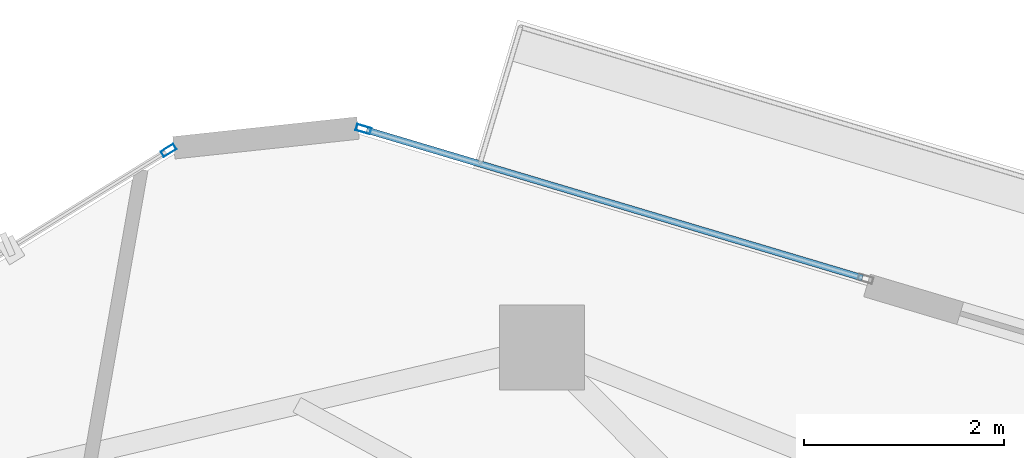
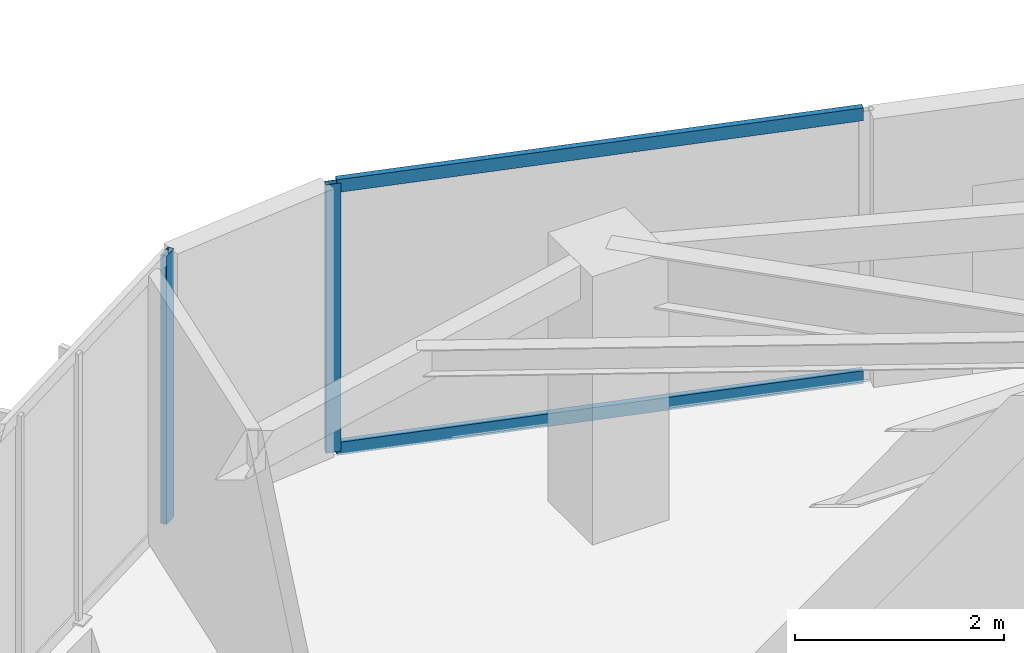
# One storey, part 15 of 20: 4 members, 2 elements without a shape of their own.
"""IFC4 building model written with IfcOpenShell, lengths in metres."""

from ifc_helpers import new_model, si_unit, direction, frame, origin, origin_2d, place, context, subcontext, project, spatial, hollow_rectangle, extrude, source, transform, mapped, material, layer, layer_set, material_profile, profile_set, type_object, type_shapes, element, aggregate, save


model = new_model("IFC4")

# Units and contexts
model_context = context("Model", 3, precision=1e-05, world=origin(), true_north=direction((0.0, 1.0)))
body_context = subcontext(model_context, "Body", "Model", "MODEL_VIEW")
ifc_project = project(units=[si_unit("LENGTHUNIT", "METRE"), si_unit("AREAUNIT", "SQUARE_METRE"), si_unit("VOLUMEUNIT", "CUBIC_METRE"), si_unit("PLANEANGLEUNIT", "RADIAN"), si_unit("MASSUNIT", "GRAM", prefix="KILO")], contexts=[model_context])

# Site, building, storey
site_placement = place(None, origin())
site = spatial("IfcSite", under=ifc_project, at=site_placement, CompositionType="ELEMENT")
building_placement = place(site_placement, origin())
building = spatial("IfcBuilding", under=site, at=building_placement, Name="Talar Marvaseh", CompositionType="ELEMENT")
storey_placement = place(building_placement, frame((0.0, 0.0, 251.0)))
storey = spatial("IfcBuildingStorey", under=building, at=storey_placement, Name="L66", CompositionType="ELEMENT", Elevation=251.0)

# Curtain wall, member
ifc_material = material(Name="Architectural Aluminium", Category="aluminium")
ifc_layer = layer(ifc_material, 0.179931640625)
ifc_layer_set = layer_set([ifc_layer], Name="Architectural Aluminium")
curtain_wall_type = type_object("IfcCurtainWallType", Name="Unitised High-Wind Sky Curtain Wall Z4", PredefinedType="NOTDEFINED", material=ifc_layer_set)
curtain_wall_1_placement = place(storey_placement, origin())
curtain_wall_1 = element("IfcCurtainWall", 1, at=curtain_wall_1_placement, inside=storey, type_object=curtain_wall_type, Name="L66 Unitised High-Wind Sky Curtain Wall Z4", PredefinedType="NOTDEFINED")
ifc_material_profile_1 = material_profile(ifc_material, hollow_rectangle(XDim=0.06494140625, YDim=0.14990234375, WallThickness=0.00390625, at=origin_2d()), Name="RHS150x65x4")
ifc_profile_set_1 = profile_set([ifc_material_profile_1], Name="Architectural Aluminium")
member_type_1 = type_object("IfcMemberType", Name="Unitised Curtain Wall Slim Mullion RHS150x65x4", PredefinedType="MULLION", material=ifc_profile_set_1)
shared_shape_1 = source(origin(), body_context, "Body", "SweptSolid", [
    extrude(hollow_rectangle(XDim=0.06494140625, YDim=0.14990234375, WallThickness=0.00390625, at=origin_2d()), origin(), (0.0, 0.0, 1.0), 3.139892578125),
])
type_shapes(member_type_1, [shared_shape_1])
member_1_placement = place(storey_placement, frame((25.445556640625, 43.02783203125, 0.0), z_axis=(0.0, 0.0, 1.0), x_axis=(-0.52520226259, 0.850977428238, 0.0)))
member_1 = element("IfcMember", 2, at=member_1_placement, type_object=member_type_1, Name="CW-Z4 mullion 4", PredefinedType="MULLION", context=body_context, shape_type="MappedRepresentation", body=[
    mapped(shared_shape_1, transform((0.0, 0.0, 0.0), x_axis=(1.0, 0.0, 0.0), y_axis=(0.0, 1.0, 0.0), z_axis=(0.0, 0.0, 1.0), scale=1.0)),
])
aggregate(curtain_wall_1, [member_1])

# Curtain wall, members
curtain_wall_2_placement = place(storey_placement, origin())
curtain_wall_2 = element("IfcCurtainWall", 3, at=curtain_wall_2_placement, inside=storey, type_object=curtain_wall_type, Name="L66 Unitised High-Wind Sky Curtain Wall Z4", PredefinedType="NOTDEFINED")
member_2_placement = place(storey_placement, frame((27.39892578125, 43.239990234375, 0.0), z_axis=(0.0, 0.0, 1.0), x_axis=(0.285622118907, 0.958342321507, 0.0)))
member_2 = element("IfcMember", 4, at=member_2_placement, type_object=member_type_1, Name="CW-Z4 mullion 1", PredefinedType="MULLION", context=body_context, shape_type="MappedRepresentation", body=[
    mapped(shared_shape_1, transform((0.0, 0.0, 0.0), x_axis=(1.0, 0.0, 0.0), y_axis=(0.0, 1.0, 0.0), z_axis=(0.0, 0.0, 1.0), scale=1.0)),
])
ifc_material_profile_2 = material_profile(ifc_material, hollow_rectangle(XDim=0.06494140625, YDim=0.14990234375, WallThickness=0.00390625, at=origin_2d()), Name="RHS150x65x4")
ifc_profile_set_2 = profile_set([ifc_material_profile_2], Name="Architectural Aluminium")
member_type_2 = type_object("IfcMemberType", Name="Unitised Curtain Wall Slim Transom RHS150x65x4", PredefinedType="USERDEFINED", material=ifc_profile_set_2)
shared_shape_2 = source(origin(), body_context, "Body", "SweptSolid", [
    extrude(hollow_rectangle(XDim=0.06494140625, YDim=0.14990234375, WallThickness=0.00390625, at=origin_2d()), origin(), (0.0, 0.0, 1.0), 5.1875),
])
type_shapes(member_type_2, [shared_shape_2])
member_3_placement = place(storey_placement, frame((27.43017578125, 43.230712890625, 0.032470703125), z_axis=(0.958341564144, -0.285624660059, 0.0), x_axis=(0.285624660059, 0.958341564144, 0.0)))
member_3 = element("IfcMember", 5, at=member_3_placement, type_object=member_type_2, Name="CW-Z4 transom 1.1", ObjectType="TRANSOM", PredefinedType="USERDEFINED", context=body_context, shape_type="MappedRepresentation", body=[
    mapped(shared_shape_2, transform((0.0, 0.0, 0.0), x_axis=(1.0, 0.0, 0.0), y_axis=(0.0, 1.0, 0.0), z_axis=(0.0, 0.0, 1.0), scale=1.0)),
])
member_4_placement = place(storey_placement, frame((27.43017578125, 43.230712890625, 3.107421875), z_axis=(0.958341564144, -0.285624660059, 0.0), x_axis=(0.285624660059, 0.958341564144, 0.0)))
member_4 = element("IfcMember", 6, at=member_4_placement, type_object=member_type_2, Name="CW-Z4 transom 1.2", ObjectType="TRANSOM", PredefinedType="USERDEFINED", context=body_context, shape_type="MappedRepresentation", body=[
    mapped(shared_shape_2, transform((0.0, 0.0, 0.0), x_axis=(1.0, 0.0, 0.0), y_axis=(0.0, 1.0, 0.0), z_axis=(0.0, 0.0, 1.0), scale=1.0)),
])
aggregate(curtain_wall_2, [member_2, member_3, member_4])

save(model, "model.ifc")
